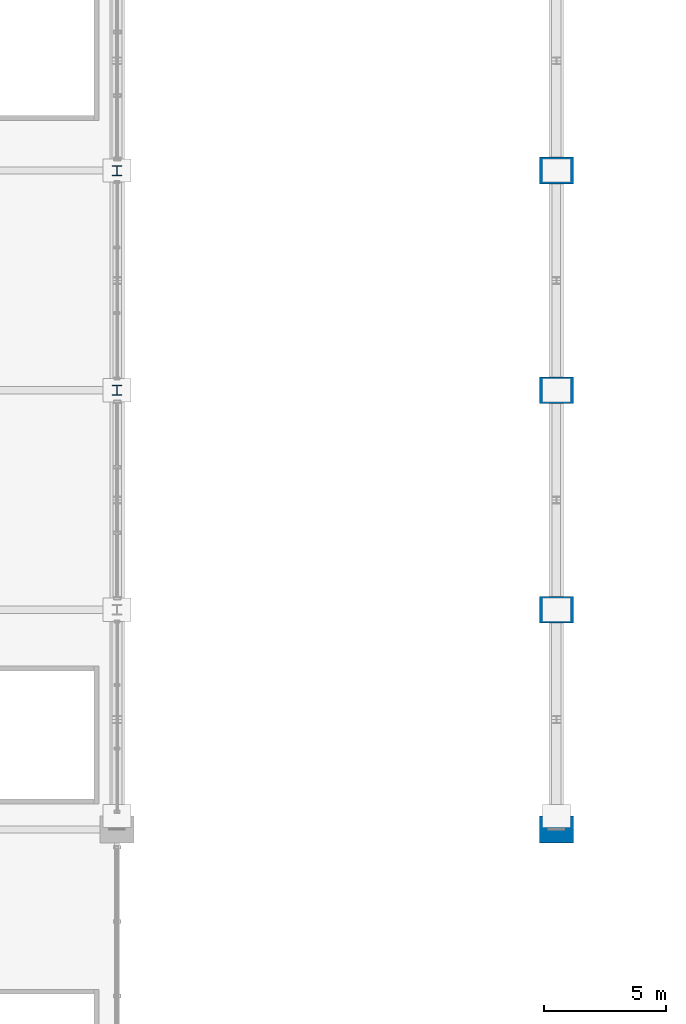
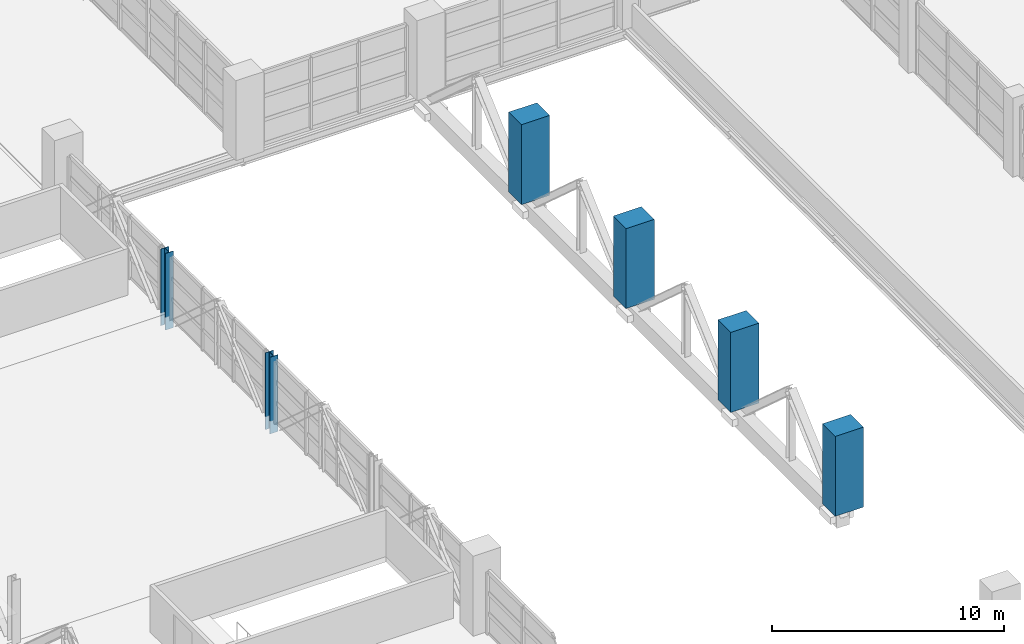
# One storey, part 6 of 136: 6 columns.
"""IFC4 building model written with IfcOpenShell, lengths in metres."""

from ifc_helpers import new_model, si_unit, direction, frame, origin, origin_2d, place, context, subcontext, project, spatial, rectangle, i_section, extrude, material, material_profile, profile_set, type_object, element, save


model = new_model("IFC4")

# Units and contexts
model_context = context("Model", 3, precision=1e-05, world=origin(), true_north=direction((0.0, 1.0)))
body_context = subcontext(model_context, "Body", "Model", "MODEL_VIEW")
ifc_project = project(units=[si_unit("LENGTHUNIT", "METRE"), si_unit("AREAUNIT", "SQUARE_METRE"), si_unit("VOLUMEUNIT", "CUBIC_METRE"), si_unit("PLANEANGLEUNIT", "RADIAN"), si_unit("MASSUNIT", "GRAM", prefix="KILO")], contexts=[model_context])

# Site, building, storey
site_placement = place(None, origin())
site = spatial("IfcSite", under=ifc_project, at=site_placement, CompositionType="ELEMENT")
building_placement = place(site_placement, origin())
building = spatial("IfcBuilding", under=site, at=building_placement, Name="Chuanluo Vaults Station", CompositionType="ELEMENT")
storey_placement = place(building_placement, frame((0.0, 0.0, 6.60009765625)))
storey = spatial("IfcBuildingStorey", under=building, at=storey_placement, Name="L01", CompositionType="ELEMENT", Elevation=6.60009765625)

# Columns
ifc_material_1 = material(Name="Concrete C50", Category="concrete")
ifc_material_profile_1 = material_profile(ifc_material_1, rectangle(XDim=1.39990234375, YDim=1.10009765625, at=origin_2d()))
ifc_profile_set_1 = profile_set([ifc_material_profile_1], Name="Concrete C50")
column_type_1 = type_object("IfcColumnType", Name="COL-SRC-1400x1100", PredefinedType="COLUMN", material=ifc_profile_set_1)
for number, where, z_axis, x_axis, name in (
    (1, (126.0, 67.5, 0.0), (0.0, 0.0, 1.0), (1.0, 0.0, 0.0), "Column L01-077"),
    (2, (126.0, 76.5, 0.0), (0.0, 0.0, 1.0), (1.0, 0.0, 0.0), "Column L01-078"),
    (3, (126.0, 85.5, 0.0), (0.0, 0.0, 1.0), (1.0, 0.0, 0.0), "Column L01-079"),
    (4, (126.0, 94.5, 0.0), (0.0, 0.0, 1.0), (1.0, 0.0, 0.0), "Column L01-080"),
):
    element("IfcColumn", number, at=place(storey_placement, frame(where, z_axis=z_axis, x_axis=x_axis)), inside=storey, type_object=column_type_1, Name=name, PredefinedType="COLUMN", context=body_context, shape_type="SweptSolid", body=[
        extrude(rectangle(XDim=1.39990234375, YDim=1.10009765625, at=origin_2d()), origin(), (0.0, 0.0, 1.0), 4.199951171875),
    ])
ifc_material_2 = material(Name="Steel Q355C", Category="steel")
ifc_material_profile_2 = material_profile(ifc_material_2, i_section(OverallWidth=0.39990234375, OverallDepth=0.407958984375, WebThickness=0.02099609375, FlangeThickness=0.02099609375, FilletRadius=0.02197265625, at=origin_2d()))
ifc_profile_set_2 = profile_set([ifc_material_profile_2], Name="Steel Q355C")
column_type_2 = type_object("IfcColumnType", Name="COL-STL-HW408", PredefinedType="COLUMN", material=ifc_profile_set_2)
for number, where, z_axis, x_axis, name in (
    (5, (108.0, 85.5, -0.68017578125), (0.0, 0.0, 1.0), (1.0, 0.0, 0.0), "Transfer truss TT-7 vertical column post 85"),
    (6, (108.0, 94.5, -0.68017578125), (0.0, 0.0, 1.0), (1.0, 0.0, 0.0), "Transfer truss TT-7 vertical column post 94"),
):
    element("IfcColumn", number, at=place(storey_placement, frame(where, z_axis=z_axis, x_axis=x_axis)), inside=storey, type_object=column_type_2, Name=name, PredefinedType="COLUMN", context=body_context, shape_type="SweptSolid", body=[
        extrude(i_section(OverallWidth=0.39990234375, OverallDepth=0.407958984375, WebThickness=0.02099609375, FlangeThickness=0.02099609375, FilletRadius=0.02197265625, at=origin_2d()), origin(), (0.0, 0.0, 1.0), 4.030029296875),
    ])

save(model, "model.ifc")
